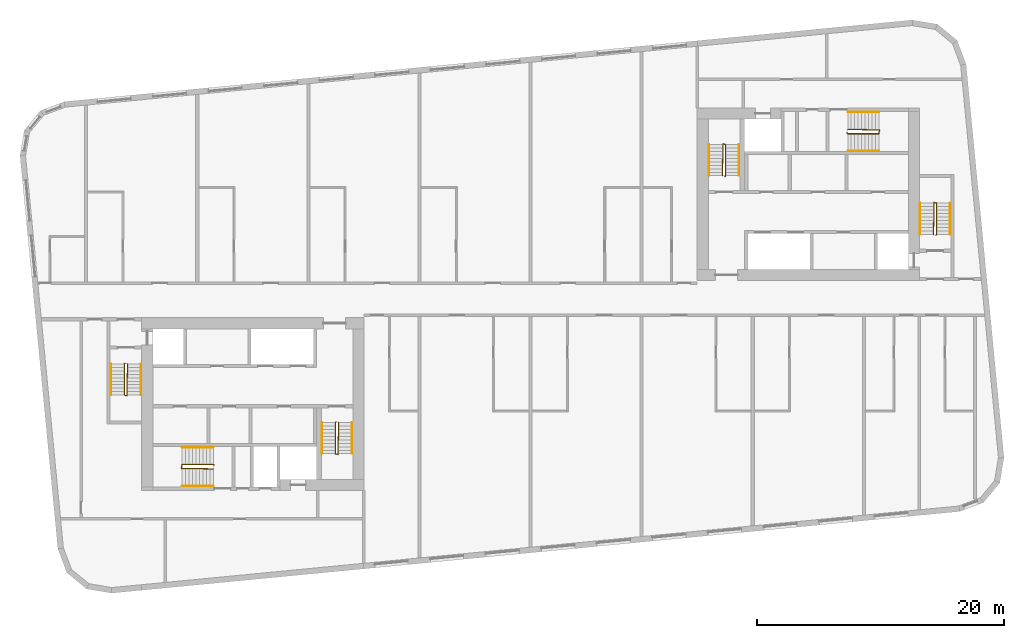
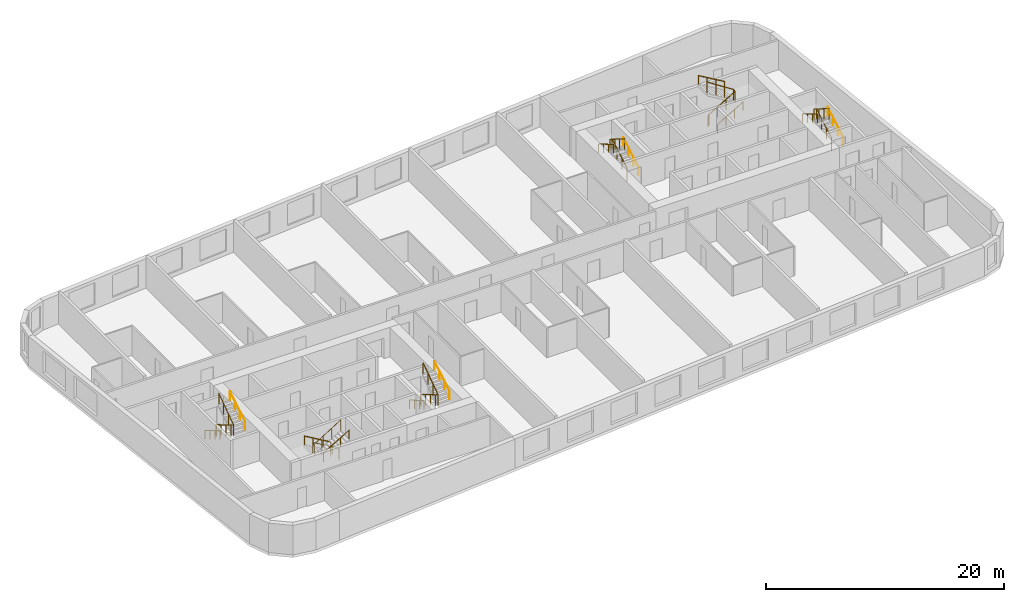
# One storey, part 11 of 11: 18 railings.
"""IFC4 building model written with IfcOpenShell, lengths in metres."""

import ifcopenshell
import ifcopenshell.guid

model = None  # the IFC model being written
_history = None  # IfcOwnerHistory: only IFC2X3 demands one
_inside = {}  # id of a spatial element -> (the spatial element, [elements in it])
_under = {}  # id of a project, library or spatial element -> (it, [spatial elements below it])
_declared = {}  # id of a project -> (the project, [libraries it declares])
_typed = {}  # id of a type object -> (the type object, [elements of that type])
_made_of = {}  # id of a material, layer set ... -> (it, [elements and type objects made of it])


def new_model(schema):
    """Start an empty IFC model of exactly this schema.

    Asked for "IFC4X3", IfcOpenShell would pick the latest addendum, in which some entities
    have other attributes; the version numbers below select the first issue.
    IFC2X3 requires an IfcOwnerHistory on every rooted entity: one is made here for all.
    """
    global model, _history
    if schema == "IFC4X3":
        model = ifcopenshell.file(schema_version=(4, 3, 0, 0))
    else:
        model = ifcopenshell.file(schema=schema)
    _inside.clear()
    _under.clear()
    _declared.clear()
    _typed.clear()
    _made_of.clear()
    _history = None
    if model.schema == "IFC2X3":
        org = make("IfcOrganization", Name="unknown")
        user = make(
            "IfcPersonAndOrganization",
            ThePerson=make("IfcPerson", FamilyName="unknown"),
            TheOrganization=org,
        )
        app = make(
            "IfcApplication",
            ApplicationDeveloper=org,
            Version="unknown",
            ApplicationFullName="unknown",
            ApplicationIdentifier="unknown",
        )
        _history = make(
            "IfcOwnerHistory",
            OwningUser=user,
            OwningApplication=app,
            ChangeAction="ADDED",
            CreationDate=0,
        )
    return model


def make(cls, **values):
    """One entity of the class cls with the attributes given. An attribute that is None is left unset."""
    return model.create_entity(
        cls, **{name: value for name, value in values.items() if value is not None}
    )


def rooted(cls, **values):
    """An entity with a GlobalId (a new one), such as an element, a storey or a relation."""
    return make(cls, GlobalId=ifcopenshell.guid.new(), OwnerHistory=_history, **values)


def si_unit(unit_type, name, prefix=None):
    """IfcSIUnit, for example si_unit("LENGTHUNIT", "METRE", prefix="MILLI")."""
    return make("IfcSIUnit", UnitType=unit_type, Prefix=prefix, Name=name)


def assignment(units):
    """IfcUnitAssignment: the units of a project."""
    return None if units is None else make("IfcUnitAssignment", Units=units)


def point(xyz):
    """IfcCartesianPoint."""
    return None if xyz is None else make("IfcCartesianPoint", Coordinates=xyz)


def direction(xyz):
    """IfcDirection."""
    return None if xyz is None else make("IfcDirection", DirectionRatios=xyz)


def frame(location, z_axis=None, x_axis=None):
    """IfcAxis2Placement3D, a coordinate frame: its origin and axes. An axis left out is left unset."""
    return make(
        "IfcAxis2Placement3D",
        Location=point(location),
        Axis=direction(z_axis),
        RefDirection=direction(x_axis),
    )


def frame_2d(location, x_axis=None):
    """IfcAxis2Placement2D, a coordinate frame in the plane: its origin and x axis."""
    return make(
        "IfcAxis2Placement2D", Location=point(location), RefDirection=direction(x_axis)
    )


def origin():
    """The frame at (0, 0, 0) with its axes left unset."""
    return frame((0.0, 0.0, 0.0))


def origin_2d():
    """The frame at (0, 0) in the plane with its x axis left unset."""
    return frame_2d((0.0, 0.0))


def place(relative_to, where):
    """IfcLocalPlacement: puts the frame where relative to a parent placement (None: the world)."""
    return make(
        "IfcLocalPlacement", PlacementRelTo=relative_to, RelativePlacement=where
    )


def context(
    kind, dimensions, precision=None, world=None, true_north=None, identifier=None
):
    """IfcGeometricRepresentationContext, for example the 3D "Model" context."""
    return make(
        "IfcGeometricRepresentationContext",
        ContextIdentifier=identifier,
        ContextType=kind,
        CoordinateSpaceDimension=dimensions,
        Precision=precision,
        WorldCoordinateSystem=world,
        TrueNorth=true_north,
    )


def subcontext(parent, identifier, kind, view, scale=None):
    """IfcGeometricRepresentationSubContext, for example "Body" below "Model"."""
    return make(
        "IfcGeometricRepresentationSubContext",
        ContextIdentifier=identifier,
        ContextType=kind,
        ParentContext=parent,
        TargetScale=scale,
        TargetView=view,
    )


def project(units=None, contexts=None):
    """IfcProject with its units and contexts."""
    return rooted(
        "IfcProject",
        Name="project",
        RepresentationContexts=contexts,
        UnitsInContext=assignment(units),
    )


def spatial(cls, under=None, at=None, **own):
    """A site, building, storey or space (cls), placed at a placement, below another one or the project."""
    s = rooted(cls, ObjectPlacement=at, **own)
    if under is not None:
        _under.setdefault(under.id(), (under, []))[1].append(s)
    return s


def profile(cls, at=None, kind="AREA", **sizes):
    """A parametric profile (cls). Its sizes go by their IFC names, for example OverallWidth=200.0."""
    return make(cls, ProfileType=kind, Position=at, **sizes)


def circle(**sizes):
    """IfcCircleProfileDef."""
    return profile("IfcCircleProfileDef", **sizes)


def extrude(swept, where, along, depth):
    """IfcExtrudedAreaSolid: the profile swept, set in the frame where, extruded along a direction by depth."""
    return make(
        "IfcExtrudedAreaSolid",
        SweptArea=swept,
        Position=where,
        ExtrudedDirection=direction(along),
        Depth=depth,
    )


def shape(context_of_items, identifier, shape_type, items):
    """IfcShapeRepresentation: the items that make up one representation, for example the "Body"."""
    return make(
        "IfcShapeRepresentation",
        ContextOfItems=context_of_items,
        RepresentationIdentifier=identifier,
        RepresentationType=shape_type,
        Items=items,
    )


def material(Name=None, Category=None):
    """IfcMaterial."""
    return make("IfcMaterial", Name=Name, Category=Category)


def made_of(thing, what):
    """Note that an element or type object is made of a material, layer set ...; save() writes the relation."""
    if what is not None:
        _made_of.setdefault(what.id(), (what, []))[1].append(thing)
    return thing


def type_object(cls, material=None, **own):
    """A type object (cls), such as IfcWallType, which elements share."""
    return made_of(rooted(cls, **own), material)


def element(
    cls,
    number,
    at=None,
    inside=None,
    cuts=None,
    type_object=None,
    material=None,
    context=None,
    identifier="Body",
    shape_type=None,
    held_by="IfcProductDefinitionShape",
    body=None,
    shapes=None,
    **own,
):
    """One element of the class cls, such as IfcWall. Its Tag is "e" and its number.

    at: its placement. inside: the storey or other place that contains it. cuts: it is an
    opening in that element (IfcRelVoidsElement). A single representation is given by context,
    identifier, shape_type and body (its items); several are given by shapes. held_by: the class
    of the entity that holds the representations. save() writes the other relations.
    """
    e = rooted(cls, Tag="e%d" % number, ObjectPlacement=at, **own)
    if body is not None:
        shapes = [shape(context, identifier, shape_type, body)]
    if shapes is not None:
        e.Representation = make(held_by, Representations=shapes)
    if inside is not None:
        _inside.setdefault(inside.id(), (inside, []))[1].append(e)
    if cuts is not None:
        rooted(
            "IfcRelVoidsElement", RelatingBuildingElement=cuts, RelatedOpeningElement=e
        )
    if type_object is not None:
        _typed.setdefault(type_object.id(), (type_object, []))[1].append(e)
    return made_of(e, material)


def aggregate(whole, parts):
    """IfcRelAggregates: a whole, such as a stair, and the parts it consists of."""
    return rooted("IfcRelAggregates", RelatingObject=whole, RelatedObjects=parts)


def save(model, path):
    """Write the relations noted so far, then the file.

    IfcRelAggregates (storeys below a building ...), IfcRelContainedInSpatialStructure (elements
    in a storey), IfcRelDefinesByType, IfcRelAssociatesMaterial and IfcRelDeclares: one each for
    every whole, place, type object, material and project.
    """
    for whole, parts in _under.values():
        aggregate(whole, parts)
    for where, things in _inside.values():
        rooted(
            "IfcRelContainedInSpatialStructure",
            RelatedElements=things,
            RelatingStructure=where,
        )
    for kind, things in _typed.values():
        rooted("IfcRelDefinesByType", RelatedObjects=things, RelatingType=kind)
    for what, things in _made_of.values():
        rooted("IfcRelAssociatesMaterial", RelatedObjects=things, RelatingMaterial=what)
    for by, libraries in _declared.values():
        rooted("IfcRelDeclares", RelatingContext=by, RelatedDefinitions=libraries)
    model.write(path)


model = new_model("IFC4")

# Units and contexts
model_context = context("Model", 3, precision=1e-05, world=origin(), true_north=direction((0.0, 1.0)))
body_context = subcontext(model_context, "Body", "Model", "MODEL_VIEW")
ifc_project = project(units=[si_unit("LENGTHUNIT", "METRE"), si_unit("AREAUNIT", "SQUARE_METRE"), si_unit("VOLUMEUNIT", "CUBIC_METRE"), si_unit("PLANEANGLEUNIT", "RADIAN"), si_unit("MASSUNIT", "GRAM", prefix="KILO")], contexts=[model_context])

# Site, building, storey
site_placement = place(None, origin())
site = spatial("IfcSite", under=ifc_project, at=site_placement, CompositionType="ELEMENT")
building_placement = place(site_placement, origin())
building = spatial("IfcBuilding", under=site, at=building_placement, Name="Kajstack Hotel Tower", CompositionType="ELEMENT")
storey_placement = place(building_placement, frame((0.0, 0.0, 271.800048828125)))
storey = spatial("IfcBuildingStorey", under=building, at=storey_placement, Name="L67", CompositionType="ELEMENT", Elevation=271.800048828125)

# Railings
ifc_material = material(Name="Steel S355J2", Category="steel")
railing_type_1 = type_object("IfcRailingType", Name="Stair guard 1100", PredefinedType="GUARDRAIL", material=ifc_material)
railing_1_placement = place(storey_placement, frame((-32.85009765625, -5.199951171875, 0.0)))
element("IfcRailing", 1, at=railing_1_placement, inside=storey, type_object=railing_type_1, Name="L67 W1 stair guard 1", PredefinedType="GUARDRAIL", context=body_context, shape_type="SweptSolid", body=[
    extrude(circle(Radius=0.02392578125, at=origin_2d()), frame((0.0, 0.0, 1.076171875), z_axis=(-0.277450376394, -0.278810427259, 0.919394384522), x_axis=(0.708833529934, -0.705375805398, 0.0)), (0.0, 0.0, 1.0), 0.179443359375),
    extrude(circle(Radius=0.02392578125, at=origin_2d()), frame((-0.0498046875, -0.050048828125, 1.2412109375), z_axis=(0.0, -0.861560626758, 0.507654692109), x_axis=(1.0, 0.0, 0.0)), (0.0, 0.0, 1.0), 2.925048828125),
    extrude(circle(Radius=0.02392578125, at=origin_2d()), frame((-0.0498046875, -2.570068359375, 2.72607421875), z_axis=(0.970072785993, -0.242814311512, 0.0), x_axis=(0.242814311512, 0.970072785993, 0.0)), (0.0, 0.0, 1.0), 0.2060546875),
    extrude(circle(Radius=0.02392578125, at=origin_2d()), frame((0.150146484375, -2.6201171875, 2.72607421875), z_axis=(0.016384601254, 0.84136925563, 0.540212292087), x_axis=(-0.999810440751, 0.019470042781, 0.0)), (0.0, 0.0, 1.0), 3.0546875),
    extrude(circle(Radius=0.02099609375, at=origin_2d()), origin(), (0.0, 0.0, 1.0), 1.052001953125),
    extrude(circle(Radius=0.02099609375, at=origin_2d()), frame((-0.0498046875, -0.050048828125, 0.1650390625)), (0.0, 0.0, 1.0), 1.052001953125),
    extrude(circle(Radius=0.02099609375, at=origin_2d()), frame((-0.0498046875, -0.89013671875, 0.659912109375)), (0.0, 0.0, 1.0), 1.052001953125),
    extrude(circle(Radius=0.02099609375, at=origin_2d()), frame((-0.0498046875, -1.72998046875, 1.155029296875)), (0.0, 0.0, 1.0), 1.052001953125),
    extrude(circle(Radius=0.02099609375, at=origin_2d()), frame((-0.0498046875, -2.570068359375, 1.64990234375)), (0.0, 0.0, 1.0), 1.052001953125),
    extrude(circle(Radius=0.02099609375, at=origin_2d()), frame((0.150146484375, -2.6201171875, 1.64990234375)), (0.0, 0.0, 1.0), 1.052001953125),
    extrude(circle(Radius=0.02099609375, at=origin_2d()), frame((0.166748046875, -1.763427734375, 2.199951171875)), (0.0, 0.0, 1.0), 1.052001953125),
    extrude(circle(Radius=0.02099609375, at=origin_2d()), frame((0.18359375, -0.90673828125, 2.75)), (0.0, 0.0, 1.0), 1.052001953125),
    extrude(circle(Radius=0.02099609375, at=origin_2d()), frame((0.2001953125, -0.050048828125, 3.300048828125)), (0.0, 0.0, 1.0), 1.052001953125),
])
railing_2_placement = place(storey_placement, frame((-15.75, -9.949951171875, 0.0)))
element("IfcRailing", 2, at=railing_2_placement, inside=storey, type_object=railing_type_1, Name="L67 W2 stair guard 1", PredefinedType="GUARDRAIL", context=body_context, shape_type="SweptSolid", body=[
    extrude(circle(Radius=0.02392578125, at=origin_2d()), frame((0.0, 0.0, 1.076171875), z_axis=(-0.278705021027, -0.278705021027, 0.919046801044), x_axis=(0.707106781187, -0.707106781187, 0.0)), (0.0, 0.0, 1.0), 0.1796875),
    extrude(circle(Radius=0.02392578125, at=origin_2d()), frame((-0.050048828125, -0.050048828125, 1.2412109375), z_axis=(0.0, -0.861560626758, 0.507654692109), x_axis=(1.0, 0.0, 0.0)), (0.0, 0.0, 1.0), 2.925048828125),
    extrude(circle(Radius=0.02392578125, at=origin_2d()), frame((-0.050048828125, -2.570068359375, 2.72607421875), z_axis=(0.970072785993, -0.242814311512, 0.0), x_axis=(0.242814311512, 0.970072785993, 0.0)), (0.0, 0.0, 1.0), 0.2060546875),
    extrude(circle(Radius=0.02392578125, at=origin_2d()), frame((0.14990234375, -2.6201171875, 2.72607421875), z_axis=(0.016384601254, 0.84136925563, 0.540212292087), x_axis=(-0.999810440751, 0.019470042781, 0.0)), (0.0, 0.0, 1.0), 3.0546875),
    extrude(circle(Radius=0.02099609375, at=origin_2d()), origin(), (0.0, 0.0, 1.0), 1.052001953125),
    extrude(circle(Radius=0.02099609375, at=origin_2d()), frame((-0.050048828125, -0.050048828125, 0.1650390625)), (0.0, 0.0, 1.0), 1.052001953125),
    extrude(circle(Radius=0.02099609375, at=origin_2d()), frame((-0.050048828125, -0.89013671875, 0.659912109375)), (0.0, 0.0, 1.0), 1.052001953125),
    extrude(circle(Radius=0.02099609375, at=origin_2d()), frame((-0.050048828125, -1.72998046875, 1.155029296875)), (0.0, 0.0, 1.0), 1.052001953125),
    extrude(circle(Radius=0.02099609375, at=origin_2d()), frame((-0.050048828125, -2.570068359375, 1.64990234375)), (0.0, 0.0, 1.0), 1.052001953125),
    extrude(circle(Radius=0.02099609375, at=origin_2d()), frame((0.14990234375, -2.6201171875, 1.64990234375)), (0.0, 0.0, 1.0), 1.052001953125),
    extrude(circle(Radius=0.02099609375, at=origin_2d()), frame((0.16650390625, -1.763427734375, 2.199951171875)), (0.0, 0.0, 1.0), 1.052001953125),
    extrude(circle(Radius=0.02099609375, at=origin_2d()), frame((0.183349609375, -0.90673828125, 2.75)), (0.0, 0.0, 1.0), 1.052001953125),
    extrude(circle(Radius=0.02099609375, at=origin_2d()), frame((0.199951171875, -0.050048828125, 3.300048828125)), (0.0, 0.0, 1.0), 1.052001953125),
])
railing_3_placement = place(storey_placement, frame((-25.64990234375, -13.449951171875, 0.0)))
element("IfcRailing", 3, at=railing_3_placement, inside=storey, type_object=railing_type_1, Name="L67 W3 stair guard 1", PredefinedType="GUARDRAIL", context=body_context, shape_type="SweptSolid", body=[
    extrude(circle(Radius=0.02392578125, at=origin_2d()), frame((0.0, 0.0, 1.076171875), z_axis=(-0.278705021027, 0.278705021027, 0.919046801044), x_axis=(-0.707106781187, -0.707106781187, 0.0)), (0.0, 0.0, 1.0), 0.1796875),
    extrude(circle(Radius=0.02392578125, at=origin_2d()), frame((-0.050048828125, 0.050048828125, 1.2412109375), z_axis=(-0.861560626758, 0.0, 0.507654692109), x_axis=(0.0, -1.0, 0.0)), (0.0, 0.0, 1.0), 2.925048828125),
    extrude(circle(Radius=0.02392578125, at=origin_2d()), frame((-2.570068359375, 0.050048828125, 2.72607421875), z_axis=(-0.164529134168, -0.986372223864, 0.0), x_axis=(0.986372223864, -0.164529134168, 0.0)), (0.0, 0.0, 1.0), 0.30419921875),
    extrude(circle(Radius=0.02392578125, at=origin_2d()), frame((-2.6201171875, -0.25, 2.72607421875), z_axis=(0.84136925563, -0.016384601254, 0.540212292087), x_axis=(0.019470042781, 0.999810440751, 0.0)), (0.0, 0.0, 1.0), 3.0546875),
    extrude(circle(Radius=0.02099609375, at=origin_2d()), origin(), (0.0, 0.0, 1.0), 1.052001953125),
    extrude(circle(Radius=0.02099609375, at=origin_2d()), frame((-0.050048828125, 0.050048828125, 0.1650390625)), (0.0, 0.0, 1.0), 1.052001953125),
    extrude(circle(Radius=0.02099609375, at=origin_2d()), frame((-0.89013671875, 0.050048828125, 0.659912109375)), (0.0, 0.0, 1.0), 1.052001953125),
    extrude(circle(Radius=0.02099609375, at=origin_2d()), frame((-1.72998046875, 0.050048828125, 1.155029296875)), (0.0, 0.0, 1.0), 1.052001953125),
    extrude(circle(Radius=0.02099609375, at=origin_2d()), frame((-2.570068359375, 0.050048828125, 1.64990234375)), (0.0, 0.0, 1.0), 1.052001953125),
    extrude(circle(Radius=0.02099609375, at=origin_2d()), frame((-2.6201171875, -0.25, 1.64990234375)), (0.0, 0.0, 1.0), 1.052001953125),
    extrude(circle(Radius=0.02099609375, at=origin_2d()), frame((-1.763427734375, -0.2666015625, 2.199951171875)), (0.0, 0.0, 1.0), 1.052001953125),
    extrude(circle(Radius=0.02099609375, at=origin_2d()), frame((-0.90673828125, -0.283447265625, 2.75)), (0.0, 0.0, 1.0), 1.052001953125),
    extrude(circle(Radius=0.02099609375, at=origin_2d()), frame((-0.050048828125, -0.300048828125, 3.300048828125)), (0.0, 0.0, 1.0), 1.052001953125),
])
railing_4_placement = place(storey_placement, frame((32.85009765625, 5.199951171875, 0.0)))
element("IfcRailing", 4, at=railing_4_placement, inside=storey, type_object=railing_type_1, Name="L67 E1 stair guard 1", PredefinedType="GUARDRAIL", context=body_context, shape_type="SweptSolid", body=[
    extrude(circle(Radius=0.02392578125, at=origin_2d()), frame((0.0, 0.0, 1.076171875), z_axis=(0.277450376394, 0.278810427259, 0.919394384522), x_axis=(-0.708833529934, 0.705375805398, 0.0)), (0.0, 0.0, 1.0), 0.179443359375),
    extrude(circle(Radius=0.02392578125, at=origin_2d()), frame((0.0498046875, 0.050048828125, 1.2412109375), z_axis=(0.0, 0.861560626758, 0.507654692109), x_axis=(-1.0, 0.0, 0.0)), (0.0, 0.0, 1.0), 2.925048828125),
    extrude(circle(Radius=0.02392578125, at=origin_2d()), frame((0.0498046875, 2.570068359375, 2.72607421875), z_axis=(-0.970072785993, 0.242814311512, 0.0), x_axis=(-0.242814311512, -0.970072785993, 0.0)), (0.0, 0.0, 1.0), 0.2060546875),
    extrude(circle(Radius=0.02392578125, at=origin_2d()), frame((-0.150146484375, 2.6201171875, 2.72607421875), z_axis=(-0.016384601254, -0.84136925563, 0.540212292087), x_axis=(0.999810440751, -0.019470042781, 0.0)), (0.0, 0.0, 1.0), 3.0546875),
    extrude(circle(Radius=0.02099609375, at=origin_2d()), origin(), (0.0, 0.0, 1.0), 1.052001953125),
    extrude(circle(Radius=0.02099609375, at=origin_2d()), frame((0.0498046875, 0.050048828125, 0.1650390625)), (0.0, 0.0, 1.0), 1.052001953125),
    extrude(circle(Radius=0.02099609375, at=origin_2d()), frame((0.0498046875, 0.89013671875, 0.659912109375)), (0.0, 0.0, 1.0), 1.052001953125),
    extrude(circle(Radius=0.02099609375, at=origin_2d()), frame((0.0498046875, 1.72998046875, 1.155029296875)), (0.0, 0.0, 1.0), 1.052001953125),
    extrude(circle(Radius=0.02099609375, at=origin_2d()), frame((0.0498046875, 2.570068359375, 1.64990234375)), (0.0, 0.0, 1.0), 1.052001953125),
    extrude(circle(Radius=0.02099609375, at=origin_2d()), frame((-0.150146484375, 2.6201171875, 1.64990234375)), (0.0, 0.0, 1.0), 1.052001953125),
    extrude(circle(Radius=0.02099609375, at=origin_2d()), frame((-0.166748046875, 1.763427734375, 2.199951171875)), (0.0, 0.0, 1.0), 1.052001953125),
    extrude(circle(Radius=0.02099609375, at=origin_2d()), frame((-0.18359375, 0.90673828125, 2.75)), (0.0, 0.0, 1.0), 1.052001953125),
    extrude(circle(Radius=0.02099609375, at=origin_2d()), frame((-0.2001953125, 0.050048828125, 3.300048828125)), (0.0, 0.0, 1.0), 1.052001953125),
])
railing_5_placement = place(storey_placement, frame((15.75, 9.949951171875, 0.0)))
element("IfcRailing", 5, at=railing_5_placement, inside=storey, type_object=railing_type_1, Name="L67 E2 stair guard 1", PredefinedType="GUARDRAIL", context=body_context, shape_type="SweptSolid", body=[
    extrude(circle(Radius=0.02392578125, at=origin_2d()), frame((0.0, 0.0, 1.076171875), z_axis=(0.278705021027, 0.278705021027, 0.919046801044), x_axis=(-0.707106781187, 0.707106781187, 0.0)), (0.0, 0.0, 1.0), 0.1796875),
    extrude(circle(Radius=0.02392578125, at=origin_2d()), frame((0.050048828125, 0.050048828125, 1.2412109375), z_axis=(0.0, 0.861560626758, 0.507654692109), x_axis=(-1.0, 0.0, 0.0)), (0.0, 0.0, 1.0), 2.925048828125),
    extrude(circle(Radius=0.02392578125, at=origin_2d()), frame((0.050048828125, 2.570068359375, 2.72607421875), z_axis=(-0.970072785993, 0.242814311512, 0.0), x_axis=(-0.242814311512, -0.970072785993, 0.0)), (0.0, 0.0, 1.0), 0.2060546875),
    extrude(circle(Radius=0.02392578125, at=origin_2d()), frame((-0.14990234375, 2.6201171875, 2.72607421875), z_axis=(-0.016384601254, -0.84136925563, 0.540212292087), x_axis=(0.999810440751, -0.019470042781, 0.0)), (0.0, 0.0, 1.0), 3.0546875),
    extrude(circle(Radius=0.02099609375, at=origin_2d()), origin(), (0.0, 0.0, 1.0), 1.052001953125),
    extrude(circle(Radius=0.02099609375, at=origin_2d()), frame((0.050048828125, 0.050048828125, 0.1650390625)), (0.0, 0.0, 1.0), 1.052001953125),
    extrude(circle(Radius=0.02099609375, at=origin_2d()), frame((0.050048828125, 0.89013671875, 0.659912109375)), (0.0, 0.0, 1.0), 1.052001953125),
    extrude(circle(Radius=0.02099609375, at=origin_2d()), frame((0.050048828125, 1.72998046875, 1.155029296875)), (0.0, 0.0, 1.0), 1.052001953125),
    extrude(circle(Radius=0.02099609375, at=origin_2d()), frame((0.050048828125, 2.570068359375, 1.64990234375)), (0.0, 0.0, 1.0), 1.052001953125),
    extrude(circle(Radius=0.02099609375, at=origin_2d()), frame((-0.14990234375, 2.6201171875, 1.64990234375)), (0.0, 0.0, 1.0), 1.052001953125),
    extrude(circle(Radius=0.02099609375, at=origin_2d()), frame((-0.16650390625, 1.763427734375, 2.199951171875)), (0.0, 0.0, 1.0), 1.052001953125),
    extrude(circle(Radius=0.02099609375, at=origin_2d()), frame((-0.183349609375, 0.90673828125, 2.75)), (0.0, 0.0, 1.0), 1.052001953125),
    extrude(circle(Radius=0.02099609375, at=origin_2d()), frame((-0.199951171875, 0.050048828125, 3.300048828125)), (0.0, 0.0, 1.0), 1.052001953125),
])
railing_6_placement = place(storey_placement, frame((25.64990234375, 13.449951171875, 0.0)))
element("IfcRailing", 6, at=railing_6_placement, inside=storey, type_object=railing_type_1, Name="L67 E3 stair guard 1", PredefinedType="GUARDRAIL", context=body_context, shape_type="SweptSolid", body=[
    extrude(circle(Radius=0.02392578125, at=origin_2d()), frame((0.0, 0.0, 1.076171875), z_axis=(0.278705021027, -0.278705021027, 0.919046801044), x_axis=(0.707106781187, 0.707106781187, 0.0)), (0.0, 0.0, 1.0), 0.1796875),
    extrude(circle(Radius=0.02392578125, at=origin_2d()), frame((0.050048828125, -0.050048828125, 1.2412109375), z_axis=(0.861560626758, 0.0, 0.507654692109), x_axis=(0.0, 1.0, 0.0)), (0.0, 0.0, 1.0), 2.925048828125),
    extrude(circle(Radius=0.02392578125, at=origin_2d()), frame((2.570068359375, -0.050048828125, 2.72607421875), z_axis=(0.164529134168, 0.986372223864, 0.0), x_axis=(-0.986372223864, 0.164529134168, 0.0)), (0.0, 0.0, 1.0), 0.30419921875),
    extrude(circle(Radius=0.02392578125, at=origin_2d()), frame((2.6201171875, 0.25, 2.72607421875), z_axis=(-0.84136925563, 0.016384601254, 0.540212292087), x_axis=(-0.019470042781, -0.999810440751, 0.0)), (0.0, 0.0, 1.0), 3.0546875),
    extrude(circle(Radius=0.02099609375, at=origin_2d()), origin(), (0.0, 0.0, 1.0), 1.052001953125),
    extrude(circle(Radius=0.02099609375, at=origin_2d()), frame((0.050048828125, -0.050048828125, 0.1650390625)), (0.0, 0.0, 1.0), 1.052001953125),
    extrude(circle(Radius=0.02099609375, at=origin_2d()), frame((0.89013671875, -0.050048828125, 0.659912109375)), (0.0, 0.0, 1.0), 1.052001953125),
    extrude(circle(Radius=0.02099609375, at=origin_2d()), frame((1.72998046875, -0.050048828125, 1.155029296875)), (0.0, 0.0, 1.0), 1.052001953125),
    extrude(circle(Radius=0.02099609375, at=origin_2d()), frame((2.570068359375, -0.050048828125, 1.64990234375)), (0.0, 0.0, 1.0), 1.052001953125),
    extrude(circle(Radius=0.02099609375, at=origin_2d()), frame((2.6201171875, 0.25, 1.64990234375)), (0.0, 0.0, 1.0), 1.052001953125),
    extrude(circle(Radius=0.02099609375, at=origin_2d()), frame((1.763427734375, 0.2666015625, 2.199951171875)), (0.0, 0.0, 1.0), 1.052001953125),
    extrude(circle(Radius=0.02099609375, at=origin_2d()), frame((0.90673828125, 0.283447265625, 2.75)), (0.0, 0.0, 1.0), 1.052001953125),
    extrude(circle(Radius=0.02099609375, at=origin_2d()), frame((0.050048828125, 0.300048828125, 3.300048828125)), (0.0, 0.0, 1.0), 1.052001953125),
])
railing_type_2 = type_object("IfcRailingType", Name="Stair handrail 900", PredefinedType="HANDRAIL", material=ifc_material)
railing_7_placement = place(storey_placement, frame((-34.0, -5.25, 0.1650390625)))
element("IfcRailing", 7, at=railing_7_placement, inside=storey, type_object=railing_type_2, Name="L67 W1 stair handrail 1", PredefinedType="HANDRAIL", context=body_context, shape_type="SweptSolid", body=[
    extrude(circle(Radius=0.02392578125, at=origin_2d()), frame((0.0, 0.0, 0.8759765625), z_axis=(0.0, -0.861560626758, 0.507654692109), x_axis=(1.0, 0.0, 0.0)), (0.0, 0.0, 1.0), 2.925048828125),
    extrude(circle(Radius=0.02099609375, at=origin_2d()), origin(), (0.0, 0.0, 1.0), 0.851806640625),
    extrude(circle(Radius=0.02099609375, at=origin_2d()), frame((0.0, -0.840087890625, 0.494873046875)), (0.0, 0.0, 1.0), 0.851806640625),
    extrude(circle(Radius=0.02099609375, at=origin_2d()), frame((0.0, -1.679931640625, 0.989990234375)), (0.0, 0.0, 1.0), 0.851806640625),
    extrude(circle(Radius=0.02099609375, at=origin_2d()), frame((0.0, -2.52001953125, 1.48486328125)), (0.0, 0.0, 1.0), 0.851806640625),
])
railing_8_placement = place(storey_placement, frame((-31.550048828125, -7.77001953125, 1.81494140625)))
element("IfcRailing", 8, at=railing_8_placement, inside=storey, type_object=railing_type_2, Name="L67 W1 stair handrail 2", PredefinedType="HANDRAIL", context=body_context, shape_type="SweptSolid", body=[
    extrude(circle(Radius=0.02392578125, at=origin_2d()), frame((0.0, 0.0, 0.8759765625), z_axis=(0.0, 0.86152411907, 0.507716645641), x_axis=(-1.0, 0.0, 0.0)), (0.0, 0.0, 1.0), 2.925048828125),
    extrude(circle(Radius=0.02099609375, at=origin_2d()), origin(), (0.0, 0.0, 1.0), 0.851806640625),
    extrude(circle(Radius=0.02099609375, at=origin_2d()), frame((0.0, 0.840087890625, 0.4951171875)), (0.0, 0.0, 1.0), 0.851806640625),
    extrude(circle(Radius=0.02099609375, at=origin_2d()), frame((0.0, 1.679931640625, 0.989990234375)), (0.0, 0.0, 1.0), 0.851806640625),
    extrude(circle(Radius=0.02099609375, at=origin_2d()), frame((0.0, 2.52001953125, 1.485107421875)), (0.0, 0.0, 1.0), 0.851806640625),
])
railing_9_placement = place(storey_placement, frame((-16.89990234375, -10.0, 0.1650390625)))
element("IfcRailing", 9, at=railing_9_placement, inside=storey, type_object=railing_type_2, Name="L67 W2 stair handrail 1", PredefinedType="HANDRAIL", context=body_context, shape_type="SweptSolid", body=[
    extrude(circle(Radius=0.02392578125, at=origin_2d()), frame((0.0, 0.0, 0.8759765625), z_axis=(0.0, -0.861560626758, 0.507654692109), x_axis=(1.0, 0.0, 0.0)), (0.0, 0.0, 1.0), 2.925048828125),
    extrude(circle(Radius=0.02099609375, at=origin_2d()), origin(), (0.0, 0.0, 1.0), 0.851806640625),
    extrude(circle(Radius=0.02099609375, at=origin_2d()), frame((0.0, -0.840087890625, 0.494873046875)), (0.0, 0.0, 1.0), 0.851806640625),
    extrude(circle(Radius=0.02099609375, at=origin_2d()), frame((0.0, -1.679931640625, 0.989990234375)), (0.0, 0.0, 1.0), 0.851806640625),
    extrude(circle(Radius=0.02099609375, at=origin_2d()), frame((0.0, -2.52001953125, 1.48486328125)), (0.0, 0.0, 1.0), 0.851806640625),
])
railing_10_placement = place(storey_placement, frame((-14.449951171875, -12.52001953125, 1.81494140625)))
element("IfcRailing", 10, at=railing_10_placement, inside=storey, type_object=railing_type_2, Name="L67 W2 stair handrail 2", PredefinedType="HANDRAIL", context=body_context, shape_type="SweptSolid", body=[
    extrude(circle(Radius=0.02392578125, at=origin_2d()), frame((0.0, 0.0, 0.8759765625), z_axis=(0.0, 0.86152411907, 0.507716645641), x_axis=(-1.0, 0.0, 0.0)), (0.0, 0.0, 1.0), 2.925048828125),
    extrude(circle(Radius=0.02099609375, at=origin_2d()), origin(), (0.0, 0.0, 1.0), 0.851806640625),
    extrude(circle(Radius=0.02099609375, at=origin_2d()), frame((0.0, 0.840087890625, 0.4951171875)), (0.0, 0.0, 1.0), 0.851806640625),
    extrude(circle(Radius=0.02099609375, at=origin_2d()), frame((0.0, 1.679931640625, 0.989990234375)), (0.0, 0.0, 1.0), 0.851806640625),
    extrude(circle(Radius=0.02099609375, at=origin_2d()), frame((0.0, 2.52001953125, 1.485107421875)), (0.0, 0.0, 1.0), 0.851806640625),
])
railing_11_placement = place(storey_placement, frame((-25.699951171875, -12.0, 0.1650390625)))
element("IfcRailing", 11, at=railing_11_placement, inside=storey, type_object=railing_type_2, Name="L67 W3 stair handrail 1", PredefinedType="HANDRAIL", context=body_context, shape_type="SweptSolid", body=[
    extrude(circle(Radius=0.02392578125, at=origin_2d()), frame((0.0, 0.0, 0.8759765625), z_axis=(-0.861560626758, 0.0, 0.507654692109), x_axis=(0.0, -1.0, 0.0)), (0.0, 0.0, 1.0), 2.925048828125),
    extrude(circle(Radius=0.02099609375, at=origin_2d()), origin(), (0.0, 0.0, 1.0), 0.851806640625),
    extrude(circle(Radius=0.02099609375, at=origin_2d()), frame((-0.840087890625, 0.0, 0.494873046875)), (0.0, 0.0, 1.0), 0.851806640625),
    extrude(circle(Radius=0.02099609375, at=origin_2d()), frame((-1.679931640625, 0.0, 0.989990234375)), (0.0, 0.0, 1.0), 0.851806640625),
    extrude(circle(Radius=0.02099609375, at=origin_2d()), frame((-2.52001953125, 0.0, 1.48486328125)), (0.0, 0.0, 1.0), 0.851806640625),
])
railing_12_placement = place(storey_placement, frame((-28.219970703125, -15.14990234375, 1.81494140625)))
element("IfcRailing", 12, at=railing_12_placement, inside=storey, type_object=railing_type_2, Name="L67 W3 stair handrail 2", PredefinedType="HANDRAIL", context=body_context, shape_type="SweptSolid", body=[
    extrude(circle(Radius=0.02392578125, at=origin_2d()), frame((0.0, 0.0, 0.8759765625), z_axis=(0.86152411907, 0.0, 0.507716645641), x_axis=(0.0, 1.0, 0.0)), (0.0, 0.0, 1.0), 2.925048828125),
    extrude(circle(Radius=0.02099609375, at=origin_2d()), origin(), (0.0, 0.0, 1.0), 0.851806640625),
    extrude(circle(Radius=0.02099609375, at=origin_2d()), frame((0.840087890625, 0.0, 0.4951171875)), (0.0, 0.0, 1.0), 0.851806640625),
    extrude(circle(Radius=0.02099609375, at=origin_2d()), frame((1.679931640625, 0.0, 0.989990234375)), (0.0, 0.0, 1.0), 0.851806640625),
    extrude(circle(Radius=0.02099609375, at=origin_2d()), frame((2.52001953125, 0.0, 1.485107421875)), (0.0, 0.0, 1.0), 0.851806640625),
])
railing_13_placement = place(storey_placement, frame((34.0, 5.25, 0.1650390625)))
element("IfcRailing", 13, at=railing_13_placement, inside=storey, type_object=railing_type_2, Name="L67 E1 stair handrail 1", PredefinedType="HANDRAIL", context=body_context, shape_type="SweptSolid", body=[
    extrude(circle(Radius=0.02392578125, at=origin_2d()), frame((0.0, 0.0, 0.8759765625), z_axis=(0.0, 0.861560626758, 0.507654692109), x_axis=(-1.0, 0.0, 0.0)), (0.0, 0.0, 1.0), 2.925048828125),
    extrude(circle(Radius=0.02099609375, at=origin_2d()), origin(), (0.0, 0.0, 1.0), 0.851806640625),
    extrude(circle(Radius=0.02099609375, at=origin_2d()), frame((0.0, 0.840087890625, 0.494873046875)), (0.0, 0.0, 1.0), 0.851806640625),
    extrude(circle(Radius=0.02099609375, at=origin_2d()), frame((0.0, 1.679931640625, 0.989990234375)), (0.0, 0.0, 1.0), 0.851806640625),
    extrude(circle(Radius=0.02099609375, at=origin_2d()), frame((0.0, 2.52001953125, 1.48486328125)), (0.0, 0.0, 1.0), 0.851806640625),
])
railing_14_placement = place(storey_placement, frame((31.550048828125, 7.77001953125, 1.81494140625)))
element("IfcRailing", 14, at=railing_14_placement, inside=storey, type_object=railing_type_2, Name="L67 E1 stair handrail 2", PredefinedType="HANDRAIL", context=body_context, shape_type="SweptSolid", body=[
    extrude(circle(Radius=0.02392578125, at=origin_2d()), frame((0.0, 0.0, 0.8759765625), z_axis=(0.0, -0.86152411907, 0.507716645641), x_axis=(1.0, 0.0, 0.0)), (0.0, 0.0, 1.0), 2.925048828125),
    extrude(circle(Radius=0.02099609375, at=origin_2d()), origin(), (0.0, 0.0, 1.0), 0.851806640625),
    extrude(circle(Radius=0.02099609375, at=origin_2d()), frame((0.0, -0.840087890625, 0.4951171875)), (0.0, 0.0, 1.0), 0.851806640625),
    extrude(circle(Radius=0.02099609375, at=origin_2d()), frame((0.0, -1.679931640625, 0.989990234375)), (0.0, 0.0, 1.0), 0.851806640625),
    extrude(circle(Radius=0.02099609375, at=origin_2d()), frame((0.0, -2.52001953125, 1.485107421875)), (0.0, 0.0, 1.0), 0.851806640625),
])
railing_15_placement = place(storey_placement, frame((16.89990234375, 10.0, 0.1650390625)))
element("IfcRailing", 15, at=railing_15_placement, inside=storey, type_object=railing_type_2, Name="L67 E2 stair handrail 1", PredefinedType="HANDRAIL", context=body_context, shape_type="SweptSolid", body=[
    extrude(circle(Radius=0.02392578125, at=origin_2d()), frame((0.0, 0.0, 0.8759765625), z_axis=(0.0, 0.861560626758, 0.507654692109), x_axis=(-1.0, 0.0, 0.0)), (0.0, 0.0, 1.0), 2.925048828125),
    extrude(circle(Radius=0.02099609375, at=origin_2d()), origin(), (0.0, 0.0, 1.0), 0.851806640625),
    extrude(circle(Radius=0.02099609375, at=origin_2d()), frame((0.0, 0.840087890625, 0.494873046875)), (0.0, 0.0, 1.0), 0.851806640625),
    extrude(circle(Radius=0.02099609375, at=origin_2d()), frame((0.0, 1.679931640625, 0.989990234375)), (0.0, 0.0, 1.0), 0.851806640625),
    extrude(circle(Radius=0.02099609375, at=origin_2d()), frame((0.0, 2.52001953125, 1.48486328125)), (0.0, 0.0, 1.0), 0.851806640625),
])
railing_16_placement = place(storey_placement, frame((14.449951171875, 12.52001953125, 1.81494140625)))
element("IfcRailing", 16, at=railing_16_placement, inside=storey, type_object=railing_type_2, Name="L67 E2 stair handrail 2", PredefinedType="HANDRAIL", context=body_context, shape_type="SweptSolid", body=[
    extrude(circle(Radius=0.02392578125, at=origin_2d()), frame((0.0, 0.0, 0.8759765625), z_axis=(0.0, -0.86152411907, 0.507716645641), x_axis=(1.0, 0.0, 0.0)), (0.0, 0.0, 1.0), 2.925048828125),
    extrude(circle(Radius=0.02099609375, at=origin_2d()), origin(), (0.0, 0.0, 1.0), 0.851806640625),
    extrude(circle(Radius=0.02099609375, at=origin_2d()), frame((0.0, -0.840087890625, 0.4951171875)), (0.0, 0.0, 1.0), 0.851806640625),
    extrude(circle(Radius=0.02099609375, at=origin_2d()), frame((0.0, -1.679931640625, 0.989990234375)), (0.0, 0.0, 1.0), 0.851806640625),
    extrude(circle(Radius=0.02099609375, at=origin_2d()), frame((0.0, -2.52001953125, 1.485107421875)), (0.0, 0.0, 1.0), 0.851806640625),
])
railing_17_placement = place(storey_placement, frame((25.699951171875, 12.0, 0.1650390625)))
element("IfcRailing", 17, at=railing_17_placement, inside=storey, type_object=railing_type_2, Name="L67 E3 stair handrail 1", PredefinedType="HANDRAIL", context=body_context, shape_type="SweptSolid", body=[
    extrude(circle(Radius=0.02392578125, at=origin_2d()), frame((0.0, 0.0, 0.8759765625), z_axis=(0.861560626758, 0.0, 0.507654692109), x_axis=(0.0, 1.0, 0.0)), (0.0, 0.0, 1.0), 2.925048828125),
    extrude(circle(Radius=0.02099609375, at=origin_2d()), origin(), (0.0, 0.0, 1.0), 0.851806640625),
    extrude(circle(Radius=0.02099609375, at=origin_2d()), frame((0.840087890625, 0.0, 0.494873046875)), (0.0, 0.0, 1.0), 0.851806640625),
    extrude(circle(Radius=0.02099609375, at=origin_2d()), frame((1.679931640625, 0.0, 0.989990234375)), (0.0, 0.0, 1.0), 0.851806640625),
    extrude(circle(Radius=0.02099609375, at=origin_2d()), frame((2.52001953125, 0.0, 1.48486328125)), (0.0, 0.0, 1.0), 0.851806640625),
])
railing_18_placement = place(storey_placement, frame((28.219970703125, 15.14990234375, 1.81494140625)))
element("IfcRailing", 18, at=railing_18_placement, inside=storey, type_object=railing_type_2, Name="L67 E3 stair handrail 2", PredefinedType="HANDRAIL", context=body_context, shape_type="SweptSolid", body=[
    extrude(circle(Radius=0.02392578125, at=origin_2d()), frame((0.0, 0.0, 0.8759765625), z_axis=(-0.86152411907, 0.0, 0.507716645641), x_axis=(0.0, -1.0, 0.0)), (0.0, 0.0, 1.0), 2.925048828125),
    extrude(circle(Radius=0.02099609375, at=origin_2d()), origin(), (0.0, 0.0, 1.0), 0.851806640625),
    extrude(circle(Radius=0.02099609375, at=origin_2d()), frame((-0.840087890625, 0.0, 0.4951171875)), (0.0, 0.0, 1.0), 0.851806640625),
    extrude(circle(Radius=0.02099609375, at=origin_2d()), frame((-1.679931640625, 0.0, 0.989990234375)), (0.0, 0.0, 1.0), 0.851806640625),
    extrude(circle(Radius=0.02099609375, at=origin_2d()), frame((-2.52001953125, 0.0, 1.485107421875)), (0.0, 0.0, 1.0), 0.851806640625),
])

save(model, "model.ifc")
